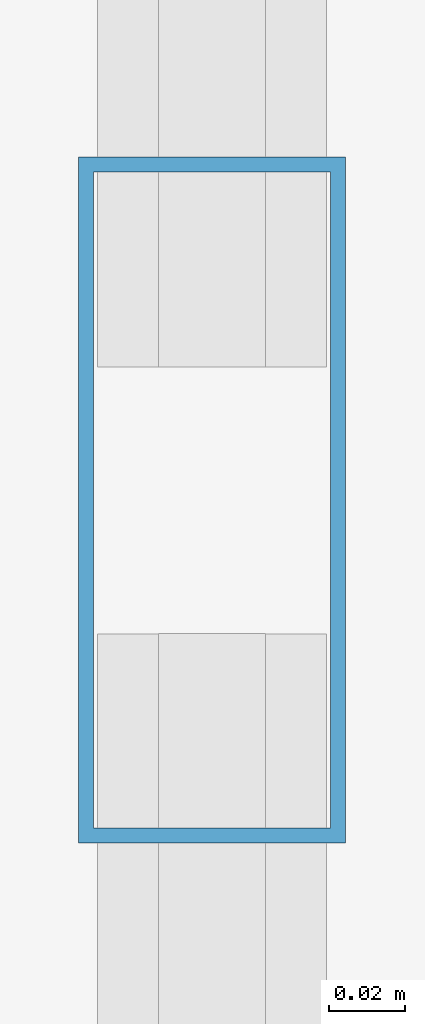
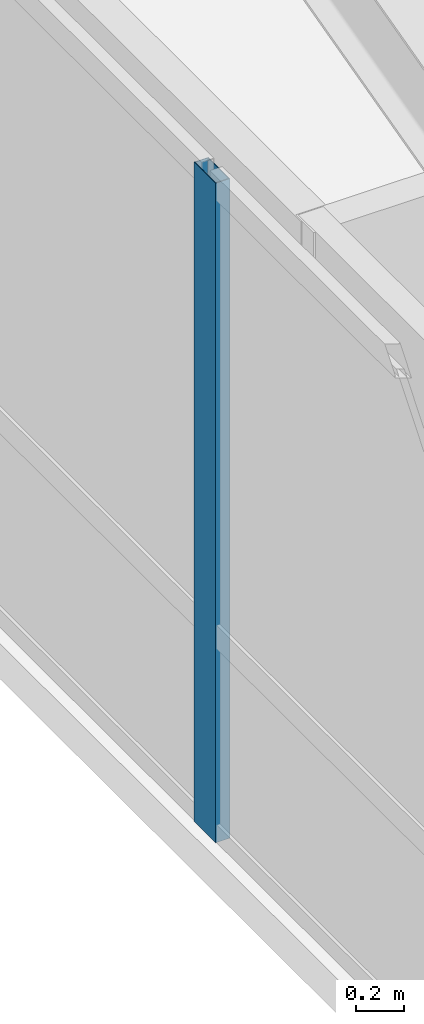
# One storey, part 13 of 28: 1 member, 1 element without a shape of its own.
"""IFC4 building model written with IfcOpenShell, lengths in metres."""

from ifc_helpers import new_model, si_unit, direction, frame, origin, origin_2d, place, context, subcontext, project, spatial, hollow_rectangle, extrude, source, transform, mapped, material, layer, layer_set, material_profile, profile_set, type_object, type_shapes, element, aggregate, save


model = new_model("IFC4")

# Units and contexts
model_context = context("Model", 3, precision=1e-05, world=origin(), true_north=direction((0.0, 1.0)))
body_context = subcontext(model_context, "Body", "Model", "MODEL_VIEW")
ifc_project = project(units=[si_unit("LENGTHUNIT", "METRE"), si_unit("AREAUNIT", "SQUARE_METRE"), si_unit("VOLUMEUNIT", "CUBIC_METRE"), si_unit("PLANEANGLEUNIT", "RADIAN"), si_unit("MASSUNIT", "GRAM", prefix="KILO")], contexts=[model_context])

# Site, building, storey
site_placement = place(None, origin())
site = spatial("IfcSite", under=ifc_project, at=site_placement, CompositionType="ELEMENT")
building_placement = place(site_placement, origin())
building = spatial("IfcBuilding", under=site, at=building_placement, Name="Tolvann Quenvar Hotel", CompositionType="ELEMENT")
storey_placement = place(building_placement, frame((0.0, 0.0, 154.14990234375)))
storey = spatial("IfcBuildingStorey", under=building, at=storey_placement, Name="L40", CompositionType="ELEMENT", Elevation=154.14990234375)

# Curtain wall, member
ifc_material_1 = material(Name="Thermally broken anodised architectural aluminium 6063-T6 and laminated low-E glass", Category="aluminium")
ifc_layer = layer(ifc_material_1, 0.179931640625)
ifc_layer_set = layer_set([ifc_layer], Name="Thermally broken anodised architectural aluminium 6063-T6 and laminated low-E glass")
curtain_wall_type = type_object("IfcCurtainWallType", Name="CW_SYS_BAND_04", PredefinedType="USERDEFINED", material=ifc_layer_set)
curtain_wall_placement = place(storey_placement, origin())
curtain_wall = element("IfcCurtainWall", 1, at=curtain_wall_placement, inside=storey, type_object=curtain_wall_type, Name="Curtain Wall CW-BAND-04 (CWR-L40-E23)", ObjectType="UNITISED CURTAIN WALL", PredefinedType="USERDEFINED")
ifc_material_2 = material(Name="Anodised architectural aluminium 6063-T6 framing", Category="aluminium")
ifc_material_profile = material_profile(ifc_material_2, hollow_rectangle(XDim=0.070068359375, YDim=0.179931640625, WallThickness=0.00390625, at=origin_2d()), Name="180x70x4RHS")
ifc_profile_set = profile_set([ifc_material_profile], Name="Anodised architectural aluminium 6063-T6 framing")
member_type = type_object("IfcMemberType", Name="CW_MULL_180x70", PredefinedType="MULLION", material=ifc_profile_set)
shared_shape = source(origin(), body_context, "Body", "SweptSolid", [
    extrude(hollow_rectangle(XDim=0.070068359375, YDim=0.179931640625, WallThickness=0.00390625, at=origin_2d()), origin(), (0.0, 0.0, 1.0), 3.3701171875),
])
type_shapes(member_type, [shared_shape])
member_placement = place(storey_placement, frame((2.68994140625, 37.26220703125, 0.0), z_axis=(0.0, 0.0, 1.0), x_axis=(1.0, 0.0, 0.0)))
member = element("IfcMember", 2, at=member_placement, type_object=member_type, Name="CW-BAND-04 mullion 2", PredefinedType="MULLION", context=body_context, shape_type="MappedRepresentation", body=[
    mapped(shared_shape, transform((0.0, 0.0, 0.0), x_axis=(1.0, 0.0, 0.0), y_axis=(0.0, 1.0, 0.0), z_axis=(0.0, 0.0, 1.0), scale=1.0)),
])
aggregate(curtain_wall, [member])

save(model, "model.ifc")
